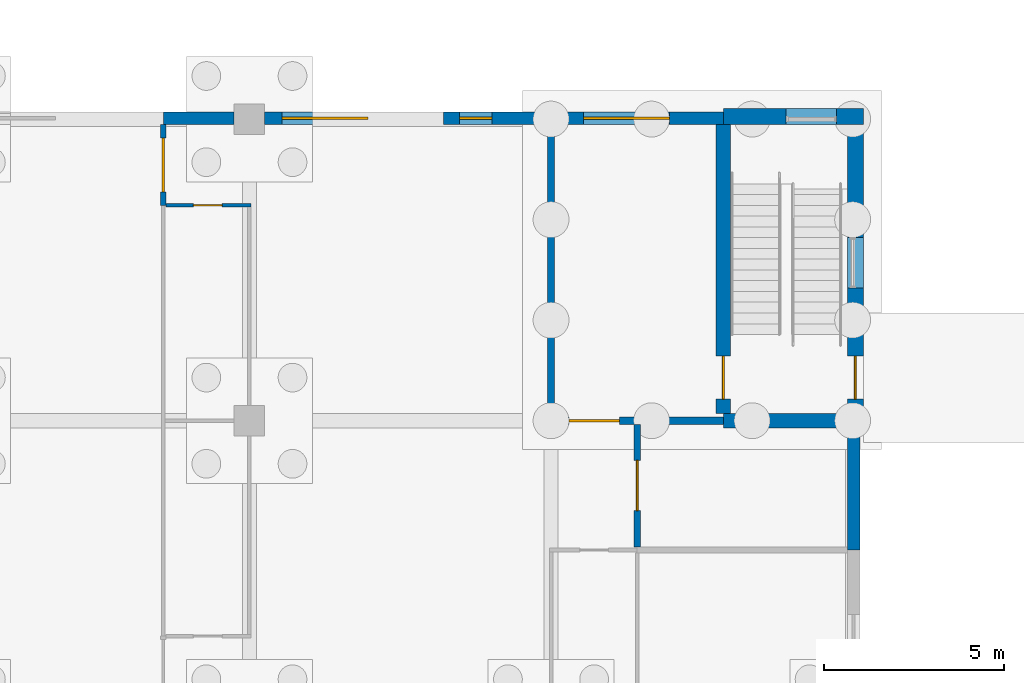
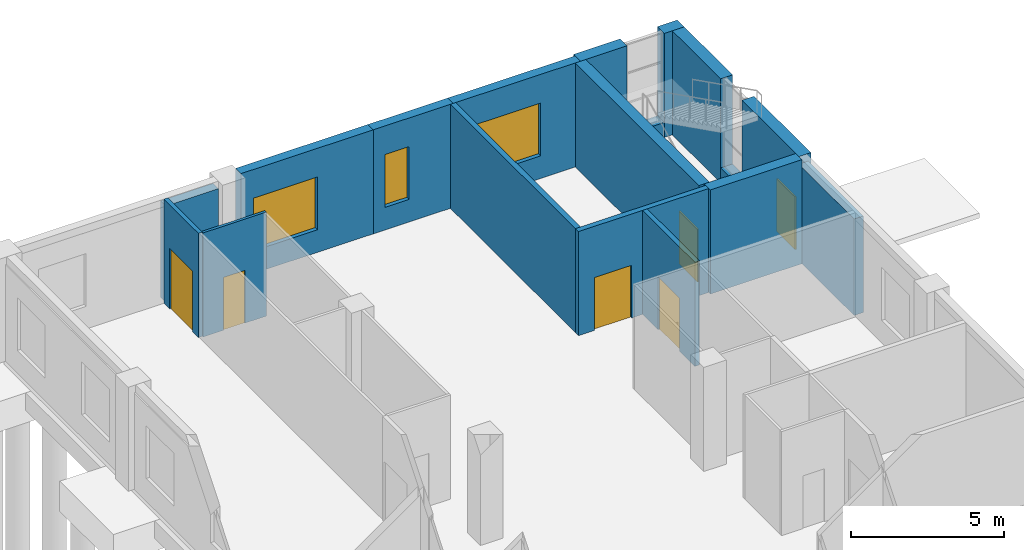
# One storey, part 123 of 138: 18 walls, 6 doors, 3 windows, 9 openings.
"""IFC4 building model written with IfcOpenShell, lengths in metres."""

from ifc_helpers import new_model, si_unit, direction, frame, frame_2d, origin, place, context, subcontext, project, spatial, rectangle, extrude, material, layer, layer_set, type_object, element, fill, save


model = new_model("IFC4")

# Units and contexts
model_context = context("Model", 3, precision=1e-05, world=origin(), true_north=direction((0.0, 1.0)))
body_context = subcontext(model_context, "Body", "Model", "MODEL_VIEW")
ifc_project = project(units=[si_unit("LENGTHUNIT", "METRE"), si_unit("AREAUNIT", "SQUARE_METRE"), si_unit("VOLUMEUNIT", "CUBIC_METRE"), si_unit("PLANEANGLEUNIT", "RADIAN"), si_unit("MASSUNIT", "GRAM", prefix="KILO")], contexts=[model_context])

# Site, building, storey
site_placement = place(None, origin())
site = spatial("IfcSite", under=ifc_project, at=site_placement, CompositionType="ELEMENT")
building_placement = place(site_placement, origin())
building = spatial("IfcBuilding", under=site, at=building_placement, Name="Yavir Park General Hospital", CompositionType="ELEMENT")
storey_placement = place(building_placement, origin())
storey = spatial("IfcBuildingStorey", under=building, at=storey_placement, Name="L00", CompositionType="ELEMENT", Elevation=0.0)

# Wall, opening, door
ifc_material_1 = material(Name="Double-leaf gypsum board acoustic partition on staggered studs")
ifc_layer_1 = layer(ifc_material_1, 0.175048828125)
ifc_layer_set_1 = layer_set([ifc_layer_1], Name="Double-leaf gypsum board acoustic partition on staggered studs")
wall_type_1 = type_object("IfcWallType", Name="Acoustic partition 175", PredefinedType="PARTITIONING", material=ifc_layer_set_1)
wall_1_placement = place(storey_placement, frame((162.0, 105.6875, 0.0), z_axis=(0.0, 0.0, 1.0), x_axis=(0.0, 1.0, 0.0)))
wall_1 = element("IfcWall", 1, at=wall_1_placement, inside=storey, type_object=wall_type_1, Name="AP175 L00-525", PredefinedType="PARTITIONING", context=body_context, shape_type="SweptSolid", body=[
    extrude(rectangle(XDim=3.41259765625, YDim=0.175048828125, at=frame_2d((1.706298828125, 0.0))), origin(), (0.0, 0.0, 1.0), 4.139892578125),
])
opening_1_placement = place(wall_1_placement, frame((1.00634765625, 0.0, 0.0)))
opening_1 = element("IfcOpeningElement", 2, at=opening_1_placement, cuts=wall_1, Name="Opening L00.D246", PredefinedType="OPENING", context=body_context, shape_type="SweptSolid", body=[
    extrude(rectangle(XDim=1.39990234375, YDim=2.10009765625, at=frame_2d((0.699951171875, 1.050048828125))), frame((0.0, 0.097412109375, 0.0), z_axis=(0.0, -1.0, 0.0), x_axis=(1.0, 0.0, 0.0)), (0.0, 0.0, 1.0), 0.195068359375),
])
ifc_material_2 = material(Name="Hollow metal frame, solid-core timber leaf", Category="wood")
door_type_1 = type_object("IfcDoorType", Name="Double swing door 1400 x 2100", OperationType="DOUBLE_DOOR_SINGLE_SWING", PredefinedType="DOOR", material=ifc_material_2)
door_1_placement = place(opening_1_placement, origin())
door_1 = element("IfcDoor", 3, at=door_1_placement, inside=storey, type_object=door_type_1, Name="L00.D246", OperationType="SINGLE_SWING_LEFT", OverallHeight=2.10009765625, OverallWidth=1.39990234375, PredefinedType="DOOR", context=body_context, shape_type="SweptSolid", body=[
    extrude(rectangle(XDim=1.39990234375, YDim=2.10009765625, at=frame_2d((0.699951171875, 1.050048828125))), frame((0.0, 0.02490234375, 0.0), z_axis=(0.0, -1.0, 0.0), x_axis=(1.0, 0.0, 0.0)), (0.0, 0.0, 1.0), 0.050048828125),
])
fill(opening_1, door_1)

ifc_material_3 = material(Name="Double gypsum board fire partition on steel studs", Category="steel")
ifc_layer_2 = layer(ifc_material_3, 0.199951171875)
ifc_layer_set_2 = layer_set([ifc_layer_2], Name="Double gypsum board fire partition on steel studs")
wall_type_2 = type_object("IfcWallType", Name="Fire-rated partition 200, EI 60", PredefinedType="PARTITIONING", material=ifc_layer_set_2)
wall_2_placement = place(storey_placement, frame((159.5, 109.199951171875, 0.0), z_axis=(0.0, 0.0, 1.0), x_axis=(1.0, 0.0, 0.0)))
wall_2 = element("IfcWall", 4, at=wall_2_placement, inside=storey, type_object=wall_type_2, Name="FP20 L00-245", PredefinedType="PARTITIONING", context=body_context, shape_type="SweptSolid", body=[
    extrude(rectangle(XDim=4.89990234375, YDim=0.199951171875, at=frame_2d((2.449951171875, 0.0))), origin(), (0.0, 0.0, 1.0), 4.139892578125),
])
opening_2_placement = place(wall_2_placement, frame((0.60009765625, 0.0, 0.0)))
opening_2 = element("IfcOpeningElement", 5, at=opening_2_placement, cuts=wall_2, Name="Opening L00.D124", PredefinedType="OPENING", context=body_context, shape_type="SweptSolid", body=[
    extrude(rectangle(XDim=1.39990234375, YDim=2.10009765625, at=frame_2d((0.699951171875, 1.050048828125))), frame((0.0, 0.10986328125, 0.0), z_axis=(0.0, -1.0, 0.0), x_axis=(1.0, 0.0, 0.0)), (0.0, 0.0, 1.0), 0.219970703125),
])
ifc_material_4 = material(Name="Steel frame, fire-resisting leaves with vision panels", Category="steel")
door_type_2 = type_object("IfcDoorType", Name="Double fire door with vision panels 1400 x 2100, EI 60", OperationType="DOUBLE_DOOR_SINGLE_SWING", PredefinedType="DOOR", material=ifc_material_4)
door_2_placement = place(opening_2_placement, origin())
door_2 = element("IfcDoor", 6, at=door_2_placement, inside=storey, type_object=door_type_2, Name="L00.D124", OperationType="SINGLE_SWING_RIGHT", OverallHeight=2.10009765625, OverallWidth=1.39990234375, PredefinedType="DOOR", context=body_context, shape_type="SweptSolid", body=[
    extrude(rectangle(XDim=1.39990234375, YDim=2.10009765625, at=frame_2d((0.699951171875, 1.050048828125))), frame((0.0, 0.030029296875, 0.0), z_axis=(0.0, -1.0, 0.0), x_axis=(1.0, 0.0, 0.0)), (0.0, 0.0, 1.0), 0.06005859375),
])
fill(opening_2, door_2)

# Wall
wall_3_placement = place(storey_placement, frame((159.60009765625, 109.300048828125, 0.0), z_axis=(0.0, 0.0, 1.0), x_axis=(0.0, 1.0, 0.0)))
element("IfcWall", 7, at=wall_3_placement, inside=storey, type_object=wall_type_2, Name="FP20 L00-513", PredefinedType="PARTITIONING", context=body_context, shape_type="SweptSolid", body=[
    extrude(rectangle(XDim=8.14990234375, YDim=0.199951171875, at=frame_2d((4.074951171875, 0.0))), origin(), (0.0, 0.0, 1.0), 4.139892578125),
])

# Wall, opening, door
ifc_material_5 = material(Name="Gypsum board partition on steel studs", Category="steel")
ifc_layer_3 = layer(ifc_material_5, 0.10009765625)
ifc_layer_set_3 = layer_set([ifc_layer_3], Name="Gypsum board partition on steel studs")
wall_type_3 = type_object("IfcWallType", Name="Gypsum board partition 100", PredefinedType="PARTITIONING", material=ifc_layer_set_3)
wall_4_placement = place(storey_placement, frame((148.875, 115.199951171875, 0.0), z_axis=(0.0, 0.0, 1.0), x_axis=(1.0, 0.0, 0.0)))
wall_4 = element("IfcWall", 8, at=wall_4_placement, inside=storey, type_object=wall_type_3, Name="P10 L00-249", PredefinedType="PARTITIONING", context=body_context, shape_type="SweptSolid", body=[
    extrude(rectangle(XDim=2.375, YDim=0.10009765625, at=frame_2d((1.1875, 0.0))), origin(), (0.0, 0.0, 1.0), 4.139892578125),
])
opening_3_placement = place(wall_4_placement, frame((0.762451171875, 0.0, 0.0)))
opening_3 = element("IfcOpeningElement", 9, at=opening_3_placement, cuts=wall_4, Name="Opening L00.D125", PredefinedType="OPENING", context=body_context, shape_type="SweptSolid", body=[
    extrude(rectangle(XDim=0.800048828125, YDim=2.10009765625, at=frame_2d((0.39990234375, 1.050048828125))), frame((0.0, 0.06005859375, 0.0), z_axis=(0.0, -1.0, 0.0), x_axis=(1.0, 0.0, 0.0)), (0.0, 0.0, 1.0), 0.1201171875),
])
ifc_material_6 = material(Name="Timber frame, hollow-core leaf", Category="wood")
door_type_3 = type_object("IfcDoorType", Name="Light cupboard door 800 x 2100", OperationType="SINGLE_SWING_LEFT", PredefinedType="DOOR", material=ifc_material_6)
door_3_placement = place(opening_3_placement, origin())
door_3 = element("IfcDoor", 10, at=door_3_placement, inside=storey, type_object=door_type_3, Name="L00.D125", OperationType="SINGLE_SWING_RIGHT", OverallHeight=2.10009765625, OverallWidth=0.800048828125, PredefinedType="DOOR", context=body_context, shape_type="SweptSolid", body=[
    extrude(rectangle(XDim=0.800048828125, YDim=2.10009765625, at=frame_2d((0.39990234375, 1.050048828125))), frame((0.0, 0.02001953125, 0.0), z_axis=(0.0, -1.0, 0.0), x_axis=(1.0, 0.0, 0.0)), (0.0, 0.0, 1.0), 0.0400390625),
])
fill(opening_3, door_3)

ifc_material_7 = material(Name="Gypsum board partition on steel studs", Category="steel")
ifc_layer_4 = layer(ifc_material_7, 0.14990234375)
ifc_layer_set_4 = layer_set([ifc_layer_4], Name="Gypsum board partition on steel studs")
wall_type_4 = type_object("IfcWallType", Name="Gypsum board partition 150", PredefinedType="PARTITIONING", material=ifc_layer_set_4)
wall_5_placement = place(storey_placement, frame((148.800048828125, 115.199951171875, 0.0), z_axis=(0.0, 0.0, 1.0), x_axis=(0.0, 1.0, 0.0)))
wall_5 = element("IfcWall", 11, at=wall_5_placement, inside=storey, type_object=wall_type_4, Name="P15 L00-481", PredefinedType="PARTITIONING", context=body_context, shape_type="SweptSolid", body=[
    extrude(rectangle(XDim=2.25, YDim=0.14990234375, at=frame_2d((1.125, 0.0))), origin(), (0.0, 0.0, 1.0), 4.139892578125),
])
opening_4_placement = place(wall_5_placement, frame((0.375, 0.0, 0.0)))
opening_4 = element("IfcOpeningElement", 12, at=opening_4_placement, cuts=wall_5, Name="Opening L00.D225", PredefinedType="OPENING", context=body_context, shape_type="SweptSolid", body=[
    extrude(rectangle(XDim=1.5, YDim=2.39990234375, at=frame_2d((0.75, 1.199951171875))), frame((0.0, 0.0849609375, 0.0), z_axis=(0.0, -1.0, 0.0), x_axis=(1.0, 0.0, 0.0)), (0.0, 0.0, 1.0), 0.169921875),
])
ifc_material_8 = material(Name="Solid-core timber leaves, push plates, kick plates", Category="wood")
door_type_4 = type_object("IfcDoorType", Name="Bed door, unequal leaves 1500 x 2400", OperationType="DOUBLE_DOOR_SINGLE_SWING", PredefinedType="DOOR", material=ifc_material_8)
door_4_placement = place(opening_4_placement, origin())
door_4 = element("IfcDoor", 13, at=door_4_placement, inside=storey, type_object=door_type_4, Name="L00.D225", OperationType="SINGLE_SWING_LEFT", OverallHeight=2.39990234375, OverallWidth=1.5, PredefinedType="DOOR", context=body_context, shape_type="SweptSolid", body=[
    extrude(rectangle(XDim=1.5, YDim=2.39990234375, at=frame_2d((0.75, 1.199951171875))), frame((0.0, 0.030029296875, 0.0), z_axis=(0.0, -1.0, 0.0), x_axis=(1.0, 0.0, 0.0)), (0.0, 0.0, 1.0), 0.06005859375),
])
fill(opening_4, door_4)

# Wall
ifc_material_9 = material(Name="Concrete C30/37 precast panel with 120 mm mineral wool insulation", Category="concrete")
ifc_layer_5 = layer(ifc_material_9, 0.35009765625)
ifc_layer_set_5 = layer_set([ifc_layer_5], Name="Concrete C30/37 precast panel with 120 mm mineral wool insulation")
wall_type_5 = type_object("IfcWallType", Name="Precast cladding panel podium wall 350, E 30", PredefinedType="SOLIDWALL", material=ifc_layer_set_5)
wall_6_placement = place(storey_placement, frame((148.800048828125, 117.625, 0.0), z_axis=(0.0, 0.0, 1.0), x_axis=(1.0, 0.0, 0.0)))
element("IfcWall", 14, at=wall_6_placement, inside=storey, type_object=wall_type_5, Name="XW2 L00-086", PredefinedType="SOLIDWALL", context=body_context, shape_type="SweptSolid", body=[
    extrude(rectangle(XDim=1.974853515625, YDim=0.35009765625, at=frame_2d((0.9873046875, 0.0))), origin(), (0.0, 0.0, 1.0), 3.840087890625),
])

# Wall, opening, window
wall_7_placement = place(storey_placement, frame((151.625, 117.625, 0.0), z_axis=(0.0, 0.0, 1.0), x_axis=(1.0, 0.0, 0.0)))
wall_7 = element("IfcWall", 15, at=wall_7_placement, inside=storey, type_object=wall_type_5, Name="XW2 L00-087", PredefinedType="SOLIDWALL", context=body_context, shape_type="SweptSolid", body=[
    extrude(rectangle(XDim=4.97509765625, YDim=0.35009765625, at=frame_2d((2.487548828125, 0.0))), origin(), (0.0, 0.0, 1.0), 4.139892578125),
])
opening_5_placement = place(wall_7_placement, frame((0.47509765625, 0.0, 0.89990234375)))
opening_5 = element("IfcOpeningElement", 16, at=opening_5_placement, cuts=wall_7, Name="Opening WF2", PredefinedType="OPENING", context=body_context, shape_type="SweptSolid", body=[
    extrude(rectangle(XDim=2.39990234375, YDim=2.10009765625, at=frame_2d((1.199951171875, 1.050048828125))), frame((0.0, 0.18505859375, 0.0), z_axis=(0.0, -1.0, 0.0), x_axis=(1.0, 0.0, 0.0)), (0.0, 0.0, 1.0), 0.3701171875),
])
ifc_material_10 = material(Name="Aluminium frame, double glazed unit", Category="aluminium")
window_type_1 = type_object("IfcWindowType", Name="Tall corridor end window 2400 x 2100", PartitioningType="DOUBLE_PANEL_VERTICAL", PredefinedType="WINDOW", material=ifc_material_10)
window_1_placement = place(opening_5_placement, origin())
window_1 = element("IfcWindow", 17, at=window_1_placement, inside=storey, type_object=window_type_1, Name="WF2 L00-028", OverallHeight=2.10009765625, OverallWidth=2.39990234375, PartitioningType="DOUBLE_PANEL_VERTICAL", PredefinedType="WINDOW", context=body_context, shape_type="SweptSolid", body=[
    extrude(rectangle(XDim=2.39990234375, YDim=2.10009765625, at=frame_2d((1.199951171875, 1.050048828125))), frame((0.0, 0.030029296875, 0.0), z_axis=(0.0, -1.0, 0.0), x_axis=(1.0, 0.0, 0.0)), (0.0, 0.0, 1.0), 0.06005859375),
])
fill(opening_5, window_1)

wall_8_placement = place(storey_placement, frame((156.60009765625, 117.625, 0.0), z_axis=(0.0, 0.0, 1.0), x_axis=(1.0, 0.0, 0.0)))
wall_8 = element("IfcWall", 18, at=wall_8_placement, inside=storey, type_object=wall_type_5, Name="XW2 L00-088", PredefinedType="SOLIDWALL", context=body_context, shape_type="SweptSolid", body=[
    extrude(rectangle(XDim=3.0, YDim=0.35009765625, at=frame_2d((1.5, 0.0))), origin(), (0.0, 0.0, 1.0), 4.139892578125),
])
opening_6_placement = place(wall_8_placement, frame((0.449951171875, 0.0, 0.89990234375)))
opening_6 = element("IfcOpeningElement", 19, at=opening_6_placement, cuts=wall_8, Name="Opening WH2", PredefinedType="OPENING", context=body_context, shape_type="SweptSolid", body=[
    extrude(rectangle(XDim=0.89990234375, YDim=2.10009765625, at=frame_2d((0.449951171875, 1.050048828125))), frame((0.0, 0.18505859375, 0.0), z_axis=(0.0, -1.0, 0.0), x_axis=(1.0, 0.0, 0.0)), (0.0, 0.0, 1.0), 0.3701171875),
])
ifc_material_11 = material(Name="Aluminium frame, double glazed unit", Category="aluminium")
window_type_2 = type_object("IfcWindowType", Name="Tall narrow window 900 x 2100", PartitioningType="SINGLE_PANEL", PredefinedType="WINDOW", material=ifc_material_11)
window_2_placement = place(opening_6_placement, origin())
window_2 = element("IfcWindow", 20, at=window_2_placement, inside=storey, type_object=window_type_2, Name="WH2 L00-029", OverallHeight=2.10009765625, OverallWidth=0.89990234375, PartitioningType="SINGLE_PANEL", PredefinedType="WINDOW", context=body_context, shape_type="SweptSolid", body=[
    extrude(rectangle(XDim=0.89990234375, YDim=2.10009765625, at=frame_2d((0.449951171875, 1.050048828125))), frame((0.0, 0.030029296875, 0.0), z_axis=(0.0, -1.0, 0.0), x_axis=(1.0, 0.0, 0.0)), (0.0, 0.0, 1.0), 0.06005859375),
])
fill(opening_6, window_2)

wall_9_placement = place(storey_placement, frame((159.60009765625, 117.625, 0.0), z_axis=(0.0, 0.0, 1.0), x_axis=(1.0, 0.0, 0.0)))
wall_9 = element("IfcWall", 21, at=wall_9_placement, inside=storey, type_object=wall_type_5, Name="XW2 L00-089", PredefinedType="SOLIDWALL", context=body_context, shape_type="SweptSolid", body=[
    extrude(rectangle(XDim=4.7998046875, YDim=0.35009765625, at=frame_2d((2.39990234375, 0.0))), origin(), (0.0, 0.0, 1.0), 4.139892578125),
])
opening_7_placement = place(wall_9_placement, frame((0.89990234375, 0.0, 0.89990234375)))
opening_7 = element("IfcOpeningElement", 22, at=opening_7_placement, cuts=wall_9, Name="Opening WF2", PredefinedType="OPENING", context=body_context, shape_type="SweptSolid", body=[
    extrude(rectangle(XDim=2.39990234375, YDim=2.10009765625, at=frame_2d((1.199951171875, 1.050048828125))), frame((0.0, 0.18505859375, 0.0), z_axis=(0.0, -1.0, 0.0), x_axis=(1.0, 0.0, 0.0)), (0.0, 0.0, 1.0), 0.3701171875),
])
window_3_placement = place(opening_7_placement, origin())
window_3 = element("IfcWindow", 23, at=window_3_placement, inside=storey, type_object=window_type_1, Name="WF2 L00-030", OverallHeight=2.10009765625, OverallWidth=2.39990234375, PartitioningType="DOUBLE_PANEL_VERTICAL", PredefinedType="WINDOW", context=body_context, shape_type="SweptSolid", body=[
    extrude(rectangle(XDim=2.39990234375, YDim=2.10009765625, at=frame_2d((1.199951171875, 1.050048828125))), frame((0.0, 0.030029296875, 0.0), z_axis=(0.0, -1.0, 0.0), x_axis=(1.0, 0.0, 0.0)), (0.0, 0.0, 1.0), 0.06005859375),
])
fill(opening_7, window_3)

# Walls
wall_10_placement = place(storey_placement, frame((168.02490234375, 105.60009765625, 0.0), z_axis=(0.0, 0.0, 1.0), x_axis=(0.0, 1.0, 0.0)))
element("IfcWall", 24, at=wall_10_placement, inside=storey, type_object=wall_type_5, Name="XW2 L00-197", PredefinedType="SOLIDWALL", context=body_context, shape_type="SweptSolid", body=[
    extrude(rectangle(XDim=3.599853515625, YDim=0.35009765625, at=frame_2d((1.7998046875, 0.0))), origin(), (0.0, 0.0, 1.0), 3.840087890625),
])
ifc_material_12 = material(Name="Concrete C35/45", Category="concrete")
ifc_layer_6 = layer(ifc_material_12, 0.39990234375)
ifc_layer_set_6 = layer_set([ifc_layer_6], Name="Concrete C35/45")
wall_type_6 = type_object("IfcWallType", Name="Reinforced concrete core wall 400, REI 150", PredefinedType="SHEAR", material=ifc_layer_set_6)
wall_11_placement = place(storey_placement, frame((164.39990234375, 109.199951171875, 0.0), z_axis=(0.0, 0.0, 1.0), x_axis=(1.0, 0.0, 0.0)))
element("IfcWall", 25, at=wall_11_placement, inside=storey, type_object=wall_type_6, Name="CW40 L00-246", PredefinedType="SHEAR", context=body_context, shape_type="SweptSolid", body=[
    extrude(rectangle(XDim=3.4501953125, YDim=0.39990234375, at=frame_2d((1.72509765625, 0.0))), origin(), (0.0, 0.0, 1.0), 4.139892578125),
])

# Wall, opening, door
wall_12_placement = place(storey_placement, frame((164.39990234375, 109.39990234375, 0.0), z_axis=(0.0, 0.0, 1.0), x_axis=(0.0, 1.0, 0.0)))
wall_12 = element("IfcWall", 26, at=wall_12_placement, inside=storey, type_object=wall_type_6, Name="CW40 L00-531", PredefinedType="SHEAR", context=body_context, shape_type="SweptSolid", body=[
    extrude(rectangle(XDim=8.050048828125, YDim=0.39990234375, at=frame_2d((4.02490234375, 0.0))), origin(), (0.0, 0.0, 1.0), 4.139892578125),
])
opening_8_placement = place(wall_12_placement, frame((0.39990234375, 0.0, 0.0)))
opening_8 = element("IfcOpeningElement", 27, at=opening_8_placement, cuts=wall_12, Name="Opening L00.D252", PredefinedType="OPENING", context=body_context, shape_type="SweptSolid", body=[
    extrude(rectangle(XDim=1.199951171875, YDim=2.10009765625, at=frame_2d((0.60009765625, 1.050048828125))), frame((0.0, 0.2099609375, 0.0), z_axis=(0.0, -1.0, 0.0), x_axis=(1.0, 0.0, 0.0)), (0.0, 0.0, 1.0), 0.419921875),
])
ifc_material_13 = material(Name="Steel frame, fire-resisting timber leaf", Category="steel")
door_type_5 = type_object("IfcDoorType", Name="Fire door 1200 x 2100, EI 60", OperationType="SINGLE_SWING_LEFT", PredefinedType="DOOR", material=ifc_material_13)
door_5_placement = place(opening_8_placement, origin())
door_5 = element("IfcDoor", 28, at=door_5_placement, inside=storey, type_object=door_type_5, Name="L00.D252", OperationType="SINGLE_SWING_RIGHT", OverallHeight=2.10009765625, OverallWidth=1.199951171875, PredefinedType="DOOR", context=body_context, shape_type="SweptSolid", body=[
    extrude(rectangle(XDim=1.199951171875, YDim=2.10009765625, at=frame_2d((0.60009765625, 1.050048828125))), frame((0.0, 0.02490234375, 0.0), z_axis=(0.0, -1.0, 0.0), x_axis=(1.0, 0.0, 0.0)), (0.0, 0.0, 1.0), 0.050048828125),
])
fill(opening_8, door_5)

# Walls
ifc_material_14 = material(Name="Concrete C30/37 precast panel with 150 mm mineral wool insulation", Category="concrete")
ifc_layer_7 = layer(ifc_material_14, 0.449951171875)
ifc_layer_set_7 = layer_set([ifc_layer_7], Name="Concrete C30/37 precast panel with 150 mm mineral wool insulation")
wall_type_7 = type_object("IfcWallType", Name="Stair enclosure wall 450, REI 150", PredefinedType="SOLIDWALL", material=ifc_layer_set_7)
wall_13_placement = place(storey_placement, frame((164.39990234375, 117.675048828125, 0.0), z_axis=(0.0, 0.0, 1.0), x_axis=(1.0, 0.0, 0.0)))
element("IfcWall", 29, at=wall_13_placement, inside=storey, type_object=wall_type_7, Name="XW6 L00-090", PredefinedType="SOLIDWALL", context=body_context, shape_type="SweptSolid", body=[
    extrude(rectangle(XDim=1.75, YDim=0.449951171875, at=frame_2d((0.875, 0.0))), origin(), (0.0, 0.0, 1.0), 4.139892578125),
])
wall_14_placement = place(storey_placement, frame((167.550048828125, 117.675048828125, 0.0), z_axis=(0.0, 0.0, 1.0), x_axis=(1.0, 0.0, 0.0)))
element("IfcWall", 30, at=wall_14_placement, inside=storey, type_object=wall_type_7, Name="XW6 L00-091", PredefinedType="SOLIDWALL", context=body_context, shape_type="SweptSolid", body=[
    extrude(rectangle(XDim=0.75, YDim=0.449951171875, at=frame_2d((0.375, 0.0))), origin(), (0.0, 0.0, 1.0), 4.139892578125),
])
wall_15_placement = place(storey_placement, frame((166.14990234375, 117.675048828125, 0.0), z_axis=(0.0, 0.0, 1.0), x_axis=(1.0, 0.0, 0.0)))
element("IfcWall", 31, at=wall_15_placement, inside=storey, type_object=wall_type_7, Name="XW6 L00-092", PredefinedType="SOLIDWALL", context=body_context, shape_type="SweptSolid", body=[
    extrude(rectangle(XDim=1.400146484375, YDim=0.449951171875, at=frame_2d((0.7001953125, 0.0))), origin(), (0.0, 0.0, 1.0), 0.60009765625),
])

# Wall, opening, door
wall_16_placement = place(storey_placement, frame((168.074951171875, 109.199951171875, 0.0), z_axis=(0.0, 0.0, 1.0), x_axis=(0.0, 1.0, 0.0)))
wall_16 = element("IfcWall", 32, at=wall_16_placement, inside=storey, type_object=wall_type_7, Name="XW6 L00-198", PredefinedType="SOLIDWALL", context=body_context, shape_type="SweptSolid", body=[
    extrude(rectangle(XDim=3.699951171875, YDim=0.449951171875, at=frame_2d((1.85009765625, 0.0))), origin(), (0.0, 0.0, 1.0), 4.139892578125),
])
opening_9_placement = place(wall_16_placement, frame((0.60009765625, 0.0, 0.0)))
opening_9 = element("IfcOpeningElement", 33, at=opening_9_placement, cuts=wall_16, Name="Opening L00.X39", PredefinedType="OPENING", context=body_context, shape_type="SweptSolid", body=[
    extrude(rectangle(XDim=1.199951171875, YDim=2.10009765625, at=frame_2d((0.60009765625, 1.050048828125))), frame((0.0, 0.23486328125, 0.0), z_axis=(0.0, -1.0, 0.0), x_axis=(1.0, 0.0, 0.0)), (0.0, 0.0, 1.0), 0.469970703125),
])
ifc_material_15 = material(Name="Hollow metal frame, solid-core timber leaf", Category="wood")
door_type_6 = type_object("IfcDoorType", Name="Single swing door 1200 x 2100", OperationType="SINGLE_SWING_LEFT", PredefinedType="DOOR", material=ifc_material_15)
door_6_placement = place(opening_9_placement, frame((1.199951171875, 0.0, 0.0), x_axis=(-1.0, 0.0, 0.0)))
door_6 = element("IfcDoor", 34, at=door_6_placement, inside=storey, type_object=door_type_6, Name="L00.X39", OperationType="SINGLE_SWING_LEFT", OverallHeight=2.10009765625, OverallWidth=1.199951171875, PredefinedType="DOOR", context=body_context, shape_type="SweptSolid", body=[
    extrude(rectangle(XDim=1.199951171875, YDim=2.10009765625, at=frame_2d((0.60009765625, 1.050048828125))), frame((0.0, 0.02490234375, 0.0), z_axis=(0.0, -1.0, 0.0), x_axis=(1.0, 0.0, 0.0)), (0.0, 0.0, 1.0), 0.050048828125),
])
fill(opening_9, door_6)

# Walls
wall_17_placement = place(storey_placement, frame((168.074951171875, 114.300048828125, 0.0), z_axis=(0.0, 0.0, 1.0), x_axis=(0.0, 1.0, 0.0)))
element("IfcWall", 35, at=wall_17_placement, inside=storey, type_object=wall_type_7, Name="XW6 L00-199", PredefinedType="SOLIDWALL", context=body_context, shape_type="SweptSolid", body=[
    extrude(rectangle(XDim=3.14990234375, YDim=0.449951171875, at=frame_2d((1.574951171875, 0.0))), origin(), (0.0, 0.0, 1.0), 4.139892578125),
])
wall_18_placement = place(storey_placement, frame((168.074951171875, 112.89990234375, 0.0), z_axis=(0.0, 0.0, 1.0), x_axis=(0.0, 1.0, 0.0)))
element("IfcWall", 36, at=wall_18_placement, inside=storey, type_object=wall_type_7, Name="XW6 L00-200", PredefinedType="SOLIDWALL", context=body_context, shape_type="SweptSolid", body=[
    extrude(rectangle(XDim=1.400146484375, YDim=0.449951171875, at=frame_2d((0.7001953125, 0.0))), origin(), (0.0, 0.0, 1.0), 0.60009765625),
])

save(model, "model.ifc")
